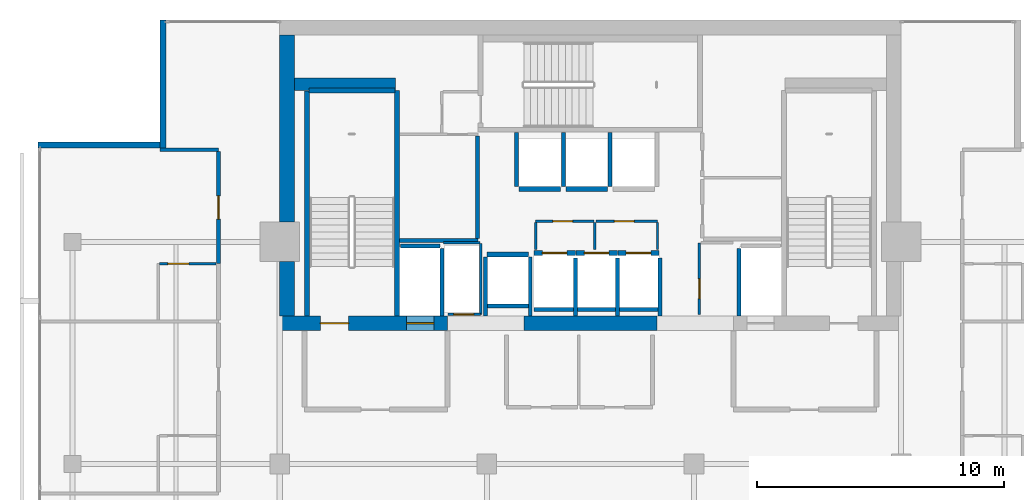
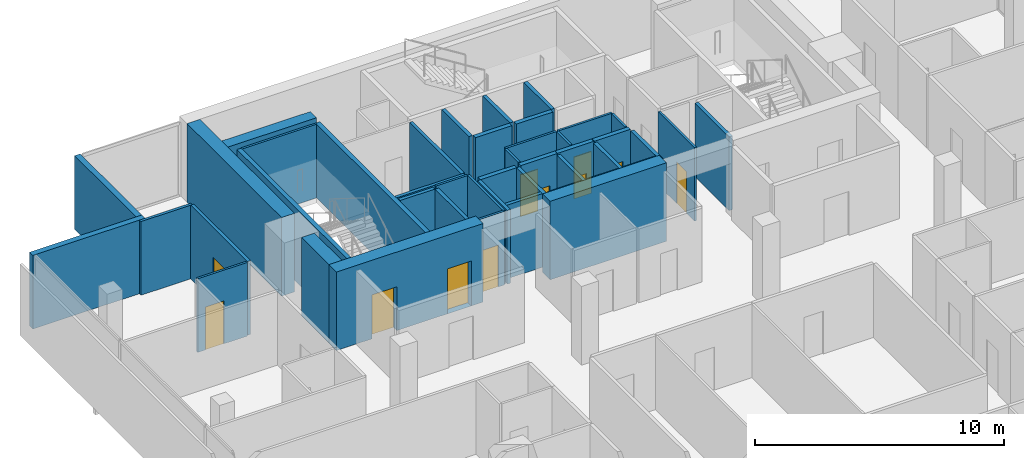
# One storey, part 22 of 26: 43 walls, 11 doors, 11 openings.
"""IFC4 building model written with IfcOpenShell, lengths in metres."""

from ifc_helpers import new_model, si_unit, direction, frame, frame_2d, origin, place, context, subcontext, project, spatial, rectangle, extrude, material, layer, layer_set, type_object, element, fill, save


model = new_model("IFC4")

# Units and contexts
model_context = context("Model", 3, precision=1e-05, world=origin(), true_north=direction((0.0, 1.0)))
body_context = subcontext(model_context, "Body", "Model", "MODEL_VIEW")
ifc_project = project(units=[si_unit("LENGTHUNIT", "METRE"), si_unit("AREAUNIT", "SQUARE_METRE"), si_unit("VOLUMEUNIT", "CUBIC_METRE"), si_unit("PLANEANGLEUNIT", "RADIAN"), si_unit("MASSUNIT", "GRAM", prefix="KILO")], contexts=[model_context])

# Site, building, storey
site_placement = place(None, origin())
site = spatial("IfcSite", under=ifc_project, at=site_placement, CompositionType="ELEMENT")
building_placement = place(site_placement, origin())
building = spatial("IfcBuilding", under=site, at=building_placement, Name="Maruvema Waterfront Hotel and Observation Tower", CompositionType="ELEMENT")
storey_placement = place(building_placement, frame((0.0, 0.0, 254.800048828125)))
storey = spatial("IfcBuildingStorey", under=building, at=storey_placement, Name="L62", CompositionType="ELEMENT", Elevation=254.800048828125)

# Walls
ifc_material_1 = material(Name="Twin-stud acoustic gypsum drywall", Category="gypsum")
ifc_layer_1 = layer(ifc_material_1, 0.14990234375, Name="Acoustic Corridor and Suite Demising Wall 150 mm")
ifc_layer_set_1 = layer_set([ifc_layer_1], Name="Twin-stud acoustic gypsum drywall")
wall_type_1 = type_object("IfcWallType", Name="Acoustic Corridor and Suite Demising Wall 150 mm", PredefinedType="PARTITIONING", material=ifc_layer_set_1)
wall_1_placement = place(storey_placement, frame((30.06005859375, 45.06005859375, 0.0), z_axis=(0.0, 0.0, 1.0), x_axis=(1.0, 0.0, 0.0)))
element("IfcWall", 1, at=wall_1_placement, inside=storey, type_object=wall_type_1, Name="L62 Freed B1 South Wall 017", PredefinedType="PARTITIONING", context=body_context, shape_type="SweptSolid", body=[
    extrude(rectangle(XDim=3.179931640625, YDim=0.14990234375, at=frame_2d((1.58984375, 0.0))), origin(), (0.0, 0.0, 1.0), 3.60986328125),
])
wall_2_placement = place(storey_placement, frame((33.219970703125, 45.139892578125, 0.0), z_axis=(0.0, 0.0, 1.0), x_axis=(0.0, 1.0, 0.0)))
element("IfcWall", 2, at=wall_2_placement, inside=storey, type_object=wall_type_1, Name="L62 Freed B1 East Wall 018", PredefinedType="PARTITIONING", context=body_context, shape_type="SweptSolid", body=[
    extrude(rectangle(XDim=4.16015625, YDim=0.14990234375, at=frame_2d((2.080078125, 0.0))), origin(), (0.0, 0.0, 1.0), 3.60986328125),
])

# Wall, opening, door
wall_3_placement = place(storey_placement, frame((22.719970703125, 44.11865234375, 0.0), z_axis=(0.0, 0.0, 1.0), x_axis=(0.0, 1.0, 0.0)))
wall_3 = element("IfcWall", 3, at=wall_3_placement, inside=storey, type_object=wall_type_1, Name="L62 Room L62-NW2 Corridor Wall 105", PredefinedType="PARTITIONING", context=body_context, shape_type="SweptSolid", body=[
    extrude(rectangle(XDim=4.558837890625, YDim=0.14990234375, at=frame_2d((2.279296875, 0.0))), origin(), (0.0, 0.0, 1.0), 3.60986328125),
])
opening_1_placement = place(wall_3_placement, frame((1.804443359375, 0.0, 0.0)))
opening_1 = element("IfcOpeningElement", 4, at=opening_1_placement, cuts=wall_3, Name="Opening DR-095", PredefinedType="OPENING", context=body_context, shape_type="SweptSolid", body=[
    extrude(rectangle(XDim=0.949951171875, YDim=2.14990234375, at=frame_2d((0.47509765625, 1.074951171875))), frame((0.0, 0.0849609375, 0.0), z_axis=(0.0, -1.0, 0.0), x_axis=(1.0, 0.0, 0.0)), (0.0, 0.0, 1.0), 0.169921875),
])
ifc_material_2 = material(Name="Acoustic solid-core hardwood timber leaf", Category="wood")
door_type_1 = type_object("IfcDoorType", Name="Guestroom Entrance Fire Door 950x2150 mm", OperationType="NOTDEFINED", PredefinedType="DOOR", material=ifc_material_2)
door_1_placement = place(opening_1_placement, origin())
door_1 = element("IfcDoor", 5, at=door_1_placement, inside=storey, type_object=door_type_1, Name="L62 Room L62-NW2 Entrance Door", OperationType="SINGLE_SWING_RIGHT", OverallHeight=2.14990234375, OverallWidth=0.949951171875, PredefinedType="DOOR", context=body_context, shape_type="SweptSolid", body=[
    extrude(rectangle(XDim=0.949951171875, YDim=2.14990234375, at=frame_2d((0.47509765625, 1.074951171875))), frame((0.0, 0.02490234375, 0.0), z_axis=(0.0, -1.0, 0.0), x_axis=(1.0, 0.0, 0.0)), (0.0, 0.0, 1.0), 0.050048828125),
])
fill(opening_1, door_1)

# Walls
ifc_material_3 = material(Name="Precast concrete C45/55", Category="concrete")
ifc_layer_2 = layer(ifc_material_3, 0.199951171875, Name="Core Shaft and Stairwell Enclosure Wall 200 mm")
ifc_layer_set_2 = layer_set([ifc_layer_2], Name="Precast concrete C45/55")
wall_type_2 = type_object("IfcWallType", Name="Core Shaft and Stairwell Enclosure Wall 200 mm", PredefinedType="SOLIDWALL", material=ifc_layer_set_2)
wall_4_placement = place(storey_placement, frame((29.949951171875, 42.0, 0.0), z_axis=(0.0, 0.0, 1.0), x_axis=(0.0, 1.0, 0.0)))
element("IfcWall", 6, at=wall_4_placement, inside=storey, type_object=wall_type_2, Name="L62 Stairwell ST-01 East Shaft Wall", PredefinedType="SOLIDWALL", context=body_context, shape_type="SweptSolid", body=[
    extrude(rectangle(XDim=9.14990234375, YDim=0.199951171875, at=frame_2d((4.574951171875, 0.0))), origin(), (0.0, 0.0, 1.0), 3.60986328125),
])
wall_5_placement = place(storey_placement, frame((26.300048828125, 42.0, 0.0), z_axis=(0.0, 0.0, 1.0), x_axis=(0.0, 1.0, 0.0)))
element("IfcWall", 7, at=wall_5_placement, inside=storey, type_object=wall_type_2, Name="L62 Stairwell ST-01 Shaft Lining Wall", PredefinedType="SOLIDWALL", context=body_context, shape_type="SweptSolid", body=[
    extrude(rectangle(XDim=9.1201171875, YDim=0.199951171875, at=frame_2d((4.56005859375, 0.0))), origin(), (0.0, 0.0, 1.0), 3.60986328125),
])
wall_6_placement = place(storey_placement, frame((26.3798828125, 51.14990234375, 0.0), z_axis=(0.0, 0.0, 1.0), x_axis=(1.0, 0.0, 0.0)))
element("IfcWall", 8, at=wall_6_placement, inside=storey, type_object=wall_type_2, Name="L62 Stairwell ST-01 Shaft Lining Wall", PredefinedType="SOLIDWALL", context=body_context, shape_type="SweptSolid", body=[
    extrude(rectangle(XDim=3.5, YDim=0.199951171875, at=frame_2d((1.75, 0.0))), origin(), (0.0, 0.0, 1.0), 3.60986328125),
])

# Wall, opening, door
wall_7_placement = place(storey_placement, frame((35.510009765625, 44.550048828125, 0.0), z_axis=(0.0, 0.0, 1.0), x_axis=(1.0, 0.0, 0.0)))
wall_7 = element("IfcWall", 9, at=wall_7_placement, inside=storey, type_object=wall_type_2, Name="L62 Lift LF-09 Hoistway Front Wall", PredefinedType="SOLIDWALL", context=body_context, shape_type="SweptSolid", body=[
    extrude(rectangle(XDim=1.679931640625, YDim=0.199951171875, at=frame_2d((0.83984375, 0.0))), origin(), (0.0, 0.0, 1.0), 3.60986328125),
])
opening_2_placement = place(wall_7_placement, frame((0.340087890625, 0.0, 0.0)))
opening_2 = element("IfcOpeningElement", 10, at=opening_2_placement, cuts=wall_7, Name="Opening LD-01", PredefinedType="OPENING", context=body_context, shape_type="SweptSolid", body=[
    extrude(rectangle(XDim=1.0, YDim=2.14990234375, at=frame_2d((0.5, 1.074951171875))), frame((0.0, 0.10986328125, 0.0), z_axis=(0.0, -1.0, 0.0), x_axis=(1.0, 0.0, 0.0)), (0.0, 0.0, 1.0), 0.219970703125),
])
ifc_material_4 = material(Name="Brushed stainless steel Grade 316", Category="steel")
door_type_2 = type_object("IfcDoorType", Name="Passenger Lift Sliding Landing Door 1000x2150 mm", OperationType="SLIDING_TO_LEFT", PredefinedType="DOOR", material=ifc_material_4)
door_2_placement = place(opening_2_placement, origin())
door_2 = element("IfcDoor", 11, at=door_2_placement, inside=storey, type_object=door_type_2, Name="L62 Lift LF-09 Sliding Landing Door", OperationType="SLIDING_TO_LEFT", OverallHeight=2.14990234375, OverallWidth=1.0, PredefinedType="DOOR", context=body_context, shape_type="SweptSolid", body=[
    extrude(rectangle(XDim=1.0, YDim=2.14990234375, at=frame_2d((0.5, 1.074951171875))), frame((0.0, 0.02490234375, 0.0), z_axis=(0.0, -1.0, 0.0), x_axis=(1.0, 0.0, 0.0)), (0.0, 0.0, 1.0), 0.050048828125),
])
fill(opening_2, door_2)

wall_8_placement = place(storey_placement, frame((37.2099609375, 44.550048828125, 0.0), z_axis=(0.0, 0.0, 1.0), x_axis=(1.0, 0.0, 0.0)))
wall_8 = element("IfcWall", 12, at=wall_8_placement, inside=storey, type_object=wall_type_2, Name="L62 Lift LF-10 Hoistway Front Wall", PredefinedType="SOLIDWALL", context=body_context, shape_type="SweptSolid", body=[
    extrude(rectangle(XDim=1.679931640625, YDim=0.199951171875, at=frame_2d((0.83984375, 0.0))), origin(), (0.0, 0.0, 1.0), 3.60986328125),
])
opening_3_placement = place(wall_8_placement, frame((0.340087890625, 0.0, 0.0)))
opening_3 = element("IfcOpeningElement", 13, at=opening_3_placement, cuts=wall_8, Name="Opening LD-01", PredefinedType="OPENING", context=body_context, shape_type="SweptSolid", body=[
    extrude(rectangle(XDim=1.0, YDim=2.14990234375, at=frame_2d((0.5, 1.074951171875))), frame((0.0, 0.10986328125, 0.0), z_axis=(0.0, -1.0, 0.0), x_axis=(1.0, 0.0, 0.0)), (0.0, 0.0, 1.0), 0.219970703125),
])
door_3_placement = place(opening_3_placement, origin())
door_3 = element("IfcDoor", 14, at=door_3_placement, inside=storey, type_object=door_type_2, Name="L62 Lift LF-10 Sliding Landing Door", OperationType="SLIDING_TO_LEFT", OverallHeight=2.14990234375, OverallWidth=1.0, PredefinedType="DOOR", context=body_context, shape_type="SweptSolid", body=[
    extrude(rectangle(XDim=1.0, YDim=2.14990234375, at=frame_2d((0.5, 1.074951171875))), frame((0.0, 0.02490234375, 0.0), z_axis=(0.0, -1.0, 0.0), x_axis=(1.0, 0.0, 0.0)), (0.0, 0.0, 1.0), 0.050048828125),
])
fill(opening_3, door_3)

wall_9_placement = place(storey_placement, frame((38.909912109375, 44.550048828125, 0.0), z_axis=(0.0, 0.0, 1.0), x_axis=(1.0, 0.0, 0.0)))
wall_9 = element("IfcWall", 15, at=wall_9_placement, inside=storey, type_object=wall_type_2, Name="L62 Lift LF-11 Hoistway Front Wall", PredefinedType="SOLIDWALL", context=body_context, shape_type="SweptSolid", body=[
    extrude(rectangle(XDim=1.68017578125, YDim=0.199951171875, at=frame_2d((0.840087890625, 0.0))), origin(), (0.0, 0.0, 1.0), 3.60986328125),
])
opening_4_placement = place(wall_9_placement, frame((0.340087890625, 0.0, 0.0)))
opening_4 = element("IfcOpeningElement", 16, at=opening_4_placement, cuts=wall_9, Name="Opening LD-01", PredefinedType="OPENING", context=body_context, shape_type="SweptSolid", body=[
    extrude(rectangle(XDim=1.0, YDim=2.14990234375, at=frame_2d((0.5, 1.074951171875))), frame((0.0, 0.10986328125, 0.0), z_axis=(0.0, -1.0, 0.0), x_axis=(1.0, 0.0, 0.0)), (0.0, 0.0, 1.0), 0.219970703125),
])
door_4_placement = place(opening_4_placement, origin())
door_4 = element("IfcDoor", 17, at=door_4_placement, inside=storey, type_object=door_type_2, Name="L62 Lift LF-11 Sliding Landing Door", OperationType="SLIDING_TO_LEFT", OverallHeight=2.14990234375, OverallWidth=1.0, PredefinedType="DOOR", context=body_context, shape_type="SweptSolid", body=[
    extrude(rectangle(XDim=1.0, YDim=2.14990234375, at=frame_2d((0.5, 1.074951171875))), frame((0.0, 0.02490234375, 0.0), z_axis=(0.0, -1.0, 0.0), x_axis=(1.0, 0.0, 0.0)), (0.0, 0.0, 1.0), 0.050048828125),
])
fill(opening_4, door_4)

# Walls
wall_10_placement = place(storey_placement, frame((34.909912109375, 47.14990234375, 0.0), z_axis=(0.0, 0.0, 1.0), x_axis=(1.0, 0.0, 0.0)))
element("IfcWall", 18, at=wall_10_placement, inside=storey, type_object=wall_type_2, Name="L62 Lift LF-12 Hoistway Front Wall", PredefinedType="SOLIDWALL", context=body_context, shape_type="SweptSolid", body=[
    extrude(rectangle(XDim=1.68017578125, YDim=0.199951171875, at=frame_2d((0.840087890625, 0.0))), origin(), (0.0, 0.0, 1.0), 3.60986328125),
])
for number, where, z_axis, x_axis, name in (
    (19, (36.81005859375, 47.14990234375, 0.0), (0.0, 0.0, 1.0), (1.0, 0.0, 0.0), "L62 Lift LF-13 Hoistway Front Wall"),
    (20, (33.610107421875, 44.5, 0.0), (0.0, 0.0, 1.0), (1.0, 0.0, 0.0), "L62 Lift LF-15 Hoistway Front Wall"),
):
    element("IfcWall", number, at=place(storey_placement, frame(where, z_axis=z_axis, x_axis=x_axis)), inside=storey, type_object=wall_type_2, Name=name, PredefinedType="SOLIDWALL", context=body_context, shape_type="SweptSolid", body=[
        extrude(rectangle(XDim=1.679931640625, YDim=0.199951171875, at=frame_2d((0.83984375, 0.0))), origin(), (0.0, 0.0, 1.0), 3.60986328125),
    ])
ifc_material_5 = material(Name="Concrete C70/85", Category="concrete")
ifc_layer_3 = layer(ifc_material_5, 0.5, Name="Core Shear Wall 500 mm")
ifc_layer_set_3 = layer_set([ifc_layer_3], Name="Concrete C70/85")
wall_type_3 = type_object("IfcWallType", Name="Core Shear Wall 500 mm", PredefinedType="SHEAR", material=ifc_layer_set_3)
wall_11_placement = place(storey_placement, frame((25.800048828125, 51.39990234375, 0.0), z_axis=(0.0, 0.0, 1.0), x_axis=(1.0, 0.0, 0.0)))
element("IfcWall", 21, at=wall_11_placement, inside=storey, type_object=wall_type_3, Name="L62 Internal Core Shear Wall NW 500 mm", PredefinedType="SHEAR", context=body_context, shape_type="SweptSolid", body=[
    extrude(rectangle(XDim=4.099853515625, YDim=0.5, at=frame_2d((2.0498046875, 0.0))), origin(), (0.0, 0.0, 1.0), 3.849853515625),
])

# Wall, openings, doors
ifc_material_6 = material(Name="Concrete C60/75", Category="concrete")
ifc_layer_4 = layer(ifc_material_6, 0.60009765625, Name="Core Shear Wall 600 mm")
ifc_layer_set_4 = layer_set([ifc_layer_4], Name="Concrete C60/75")
wall_type_4 = type_object("IfcWallType", Name="Core Shear Wall 600 mm", PredefinedType="SHEAR", material=ifc_layer_set_4)
wall_12_placement = place(storey_placement, frame((25.199951171875, 41.699951171875, 0.0), z_axis=(0.0, 0.0, 1.0), x_axis=(1.0, 0.0, 0.0)))
wall_12 = element("IfcWall", 22, at=wall_12_placement, inside=storey, type_object=wall_type_4, Name="L62 South-West Core Shear Wall", PredefinedType="SHEAR", context=body_context, shape_type="SweptSolid", body=[
    extrude(rectangle(XDim=6.800048828125, YDim=0.60009765625, at=frame_2d((3.39990234375, 0.0))), origin(), (0.0, 0.0, 1.0), 3.849853515625),
])
opening_5_placement = place(wall_12_placement, frame((1.64990234375, 0.0, 0.0)))
opening_5 = element("IfcOpeningElement", 23, at=opening_5_placement, cuts=wall_12, Name="Opening SD-01", PredefinedType="OPENING", context=body_context, shape_type="SweptSolid", body=[
    extrude(rectangle(XDim=1.14990234375, YDim=2.14990234375, at=frame_2d((0.574951171875, 1.074951171875))), frame((0.0, 0.31005859375, 0.0), z_axis=(0.0, -1.0, 0.0), x_axis=(1.0, 0.0, 0.0)), (0.0, 0.0, 1.0), 0.6201171875),
])
opening_6_placement = place(wall_12_placement, frame((5.14990234375, 0.0, 0.0)))
opening_6 = element("IfcOpeningElement", 24, at=opening_6_placement, cuts=wall_12, Name="Opening LD-03", PredefinedType="OPENING", context=body_context, shape_type="SweptSolid", body=[
    extrude(rectangle(XDim=1.10009765625, YDim=2.199951171875, at=frame_2d((0.550048828125, 1.10009765625))), frame((0.0, 0.31005859375, 0.0), z_axis=(0.0, -1.0, 0.0), x_axis=(1.0, 0.0, 0.0)), (0.0, 0.0, 1.0), 0.6201171875),
])
ifc_material_7 = material(Name="Fire-rated galvanised steel leaf", Category="steel")
door_type_3 = type_object("IfcDoorType", Name="Exit Stair Fire Door 1150x2150 mm", OperationType="NOTDEFINED", PredefinedType="DOOR", material=ifc_material_7)
door_5_placement = place(opening_5_placement, origin())
door_5 = element("IfcDoor", 25, at=door_5_placement, inside=storey, type_object=door_type_3, Name="L62 Exit Stair ST-01 Fire Door", OperationType="SINGLE_SWING_LEFT", OverallHeight=2.14990234375, OverallWidth=1.14990234375, PredefinedType="DOOR", context=body_context, shape_type="SweptSolid", body=[
    extrude(rectangle(XDim=1.14990234375, YDim=2.14990234375, at=frame_2d((0.574951171875, 1.074951171875))), frame((0.0, 0.02490234375, 0.0), z_axis=(0.0, -1.0, 0.0), x_axis=(1.0, 0.0, 0.0)), (0.0, 0.0, 1.0), 0.050048828125),
])
fill(opening_5, door_5)
ifc_material_8 = material(Name="Brushed stainless steel Grade 316", Category="steel")
door_type_4 = type_object("IfcDoorType", Name="Firefighting Lift Sliding Landing Door 1100x2200 mm", OperationType="SLIDING_TO_LEFT", PredefinedType="DOOR", material=ifc_material_8)
door_6_placement = place(opening_6_placement, frame((1.10009765625, 0.0, 0.0), z_axis=(0.0, 0.0, 1.0), x_axis=(-1.0, 0.0, 0.0)))
door_6 = element("IfcDoor", 26, at=door_6_placement, inside=storey, type_object=door_type_4, Name="L62 Firefighting Lift FL-01 Landing Door", OperationType="SLIDING_TO_LEFT", OverallHeight=2.199951171875, OverallWidth=1.10009765625, PredefinedType="DOOR", context=body_context, shape_type="SweptSolid", body=[
    extrude(rectangle(XDim=1.10009765625, YDim=2.199951171875, at=frame_2d((0.550048828125, 1.10009765625))), frame((0.0, 0.02490234375, 0.0), z_axis=(0.0, -1.0, 0.0), x_axis=(1.0, 0.0, 0.0)), (0.0, 0.0, 1.0), 0.050048828125),
])
fill(opening_6, door_6)

# Walls
wall_13_placement = place(storey_placement, frame((35.10009765625, 41.699951171875, 0.0), z_axis=(0.0, 0.0, 1.0), x_axis=(1.0, 0.0, 0.0)))
element("IfcWall", 27, at=wall_13_placement, inside=storey, type_object=wall_type_4, Name="L62 South-Central Core Shear Wall", PredefinedType="SHEAR", context=body_context, shape_type="SweptSolid", body=[
    extrude(rectangle(XDim=5.39990234375, YDim=0.60009765625, at=frame_2d((2.699951171875, 0.0))), origin(), (0.0, 0.0, 1.0), 3.849853515625),
])
wall_14_placement = place(storey_placement, frame((25.5, 42.0, 0.0), z_axis=(0.0, 0.0, 1.0), x_axis=(0.0, 1.0, 0.0)))
element("IfcWall", 28, at=wall_14_placement, inside=storey, type_object=wall_type_4, Name="L62 West-South Core Shear Wall", PredefinedType="SHEAR", context=body_context, shape_type="SweptSolid", body=[
    extrude(rectangle(XDim=2.199951171875, YDim=0.60009765625, at=frame_2d((1.10009765625, 0.0))), origin(), (0.0, 0.0, 1.0), 3.849853515625),
])
wall_15_placement = place(storey_placement, frame((25.5, 45.800048828125, 0.0), z_axis=(0.0, 0.0, 1.0), x_axis=(0.0, 1.0, 0.0)))
element("IfcWall", 29, at=wall_15_placement, inside=storey, type_object=wall_type_4, Name="L62 West-North Core Shear Wall", PredefinedType="SHEAR", context=body_context, shape_type="SweptSolid", body=[
    extrude(rectangle(XDim=7.599853515625, YDim=0.60009765625, at=frame_2d((3.7998046875, 0.0))), origin(), (0.0, 0.0, 1.0), 3.849853515625),
])

# Wall, opening, door
ifc_material_9 = material(Name="Moisture-resistant cement-board drywall", Category="gypsum")
ifc_layer_5 = layer(ifc_material_9, 0.10009765625, Name="En-Suite Moisture-Resistant Partition 100 mm")
ifc_layer_set_5 = layer_set([ifc_layer_5], Name="Moisture-resistant cement-board drywall")
wall_type_5 = type_object("IfcWallType", Name="En-Suite Moisture-Resistant Partition 100 mm", PredefinedType="PARTITIONING", material=ifc_layer_set_5)
wall_16_placement = place(storey_placement, frame((32.02001953125, 42.06005859375, 0.0), z_axis=(0.0, 0.0, 1.0), x_axis=(1.0, 0.0, 0.0)))
wall_16 = element("IfcWall", 30, at=wall_16_placement, inside=storey, type_object=wall_type_5, Name="L62 Telecom Riser South Wall 007", PredefinedType="PARTITIONING", context=body_context, shape_type="SweptSolid", body=[
    extrude(rectangle(XDim=1.320068359375, YDim=0.10009765625, at=frame_2d((0.66015625, 0.0))), origin(), (0.0, 0.0, 1.0), 3.60986328125),
])
opening_7_placement = place(wall_16_placement, frame((0.239990234375, 0.0, 0.0)))
opening_7 = element("IfcOpeningElement", 31, at=opening_7_placement, cuts=wall_16, Name="Opening DR-080", PredefinedType="OPENING", context=body_context, shape_type="SweptSolid", body=[
    extrude(rectangle(XDim=0.800048828125, YDim=2.050048828125, at=frame_2d((0.39990234375, 1.02490234375))), frame((0.0, 0.06005859375, 0.0), z_axis=(0.0, -1.0, 0.0), x_axis=(1.0, 0.0, 0.0)), (0.0, 0.0, 1.0), 0.1201171875),
])
ifc_material_10 = material(Name="Powder-coated steel access leaf", Category="steel")
door_type_5 = type_object("IfcDoorType", Name="Riser and Service Cupboard Door 800x2050 mm", OperationType="NOTDEFINED", PredefinedType="DOOR", material=ifc_material_10)
door_7_placement = place(opening_7_placement, frame((0.800048828125, 0.0, 0.0), z_axis=(0.0, 0.0, 1.0), x_axis=(-1.0, 0.0, 0.0)))
door_7 = element("IfcDoor", 32, at=door_7_placement, inside=storey, type_object=door_type_5, Name="L62 Telecom Riser Door", OperationType="SINGLE_SWING_RIGHT", OverallHeight=2.050048828125, OverallWidth=0.800048828125, PredefinedType="DOOR", context=body_context, shape_type="SweptSolid", body=[
    extrude(rectangle(XDim=0.800048828125, YDim=2.050048828125, at=frame_2d((0.39990234375, 1.02490234375))), frame((0.0, 0.02490234375, 0.0), z_axis=(0.0, -1.0, 0.0), x_axis=(1.0, 0.0, 0.0)), (0.0, 0.0, 1.0), 0.050048828125),
])
fill(opening_7, door_7)

# Walls
wall_17_placement = place(storey_placement, frame((31.840087890625, 44.9599609375, 0.0), z_axis=(0.0, 0.0, 1.0), x_axis=(1.0, 0.0, 0.0)))
element("IfcWall", 33, at=wall_17_placement, inside=storey, type_object=wall_type_5, Name="L62 Telecom Riser North Wall 008", PredefinedType="PARTITIONING", context=body_context, shape_type="SweptSolid", body=[
    extrude(rectangle(XDim=1.47998046875, YDim=0.10009765625, at=frame_2d((0.739990234375, 0.0))), origin(), (0.0, 0.0, 1.0), 3.60986328125),
])
wall_18_placement = place(storey_placement, frame((33.360107421875, 42.06005859375, 0.0), z_axis=(0.0, 0.0, 1.0), x_axis=(0.0, 1.0, 0.0)))
element("IfcWall", 34, at=wall_18_placement, inside=storey, type_object=wall_type_5, Name="L62 Telecom Riser East Wall 009", PredefinedType="PARTITIONING", context=body_context, shape_type="SweptSolid", body=[
    extrude(rectangle(XDim=2.8798828125, YDim=0.10009765625, at=frame_2d((1.43994140625, 0.0))), origin(), (0.0, 0.0, 1.0), 3.60986328125),
])

# Wall, opening, door
wall_19_placement = place(storey_placement, frame((35.580078125, 45.840087890625, 0.0), z_axis=(0.0, 0.0, 1.0), x_axis=(1.0, 0.0, 0.0)))
wall_19 = element("IfcWall", 35, at=wall_19_placement, inside=storey, type_object=wall_type_5, Name="L62 Core Closet K2A North 010", PredefinedType="PARTITIONING", context=body_context, shape_type="SweptSolid", body=[
    extrude(rectangle(XDim=2.35986328125, YDim=0.10009765625, at=frame_2d((1.179931640625, 0.0))), origin(), (0.0, 0.0, 1.0), 3.60986328125),
])
opening_8_placement = place(wall_19_placement, frame((0.699951171875, 0.0, 0.0)))
opening_8 = element("IfcOpeningElement", 36, at=opening_8_placement, cuts=wall_19, Name="Opening DR-080", PredefinedType="OPENING", context=body_context, shape_type="SweptSolid", body=[
    extrude(rectangle(XDim=0.800048828125, YDim=2.050048828125, at=frame_2d((0.39990234375, 1.02490234375))), frame((0.0, 0.06005859375, 0.0), z_axis=(0.0, -1.0, 0.0), x_axis=(1.0, 0.0, 0.0)), (0.0, 0.0, 1.0), 0.1201171875),
])
door_8_placement = place(opening_8_placement, origin())
door_8 = element("IfcDoor", 37, at=door_8_placement, inside=storey, type_object=door_type_5, Name="L62 Core IT Closet Door", OperationType="SINGLE_SWING_LEFT", OverallHeight=2.050048828125, OverallWidth=0.800048828125, PredefinedType="DOOR", context=body_context, shape_type="SweptSolid", body=[
    extrude(rectangle(XDim=0.800048828125, YDim=2.050048828125, at=frame_2d((0.39990234375, 1.02490234375))), frame((0.0, 0.02490234375, 0.0), z_axis=(0.0, -1.0, 0.0), x_axis=(1.0, 0.0, 0.0)), (0.0, 0.0, 1.0), 0.050048828125),
])
fill(opening_8, door_8)

wall_20_placement = place(storey_placement, frame((38.02001953125, 45.840087890625, 0.0), z_axis=(0.0, 0.0, 1.0), x_axis=(1.0, 0.0, 0.0)))
wall_20 = element("IfcWall", 38, at=wall_20_placement, inside=storey, type_object=wall_type_5, Name="L62 Core Closet K2B North 011", PredefinedType="PARTITIONING", context=body_context, shape_type="SweptSolid", body=[
    extrude(rectangle(XDim=2.5, YDim=0.10009765625, at=frame_2d((1.25, 0.0))), origin(), (0.0, 0.0, 1.0), 3.60986328125),
])
opening_9_placement = place(wall_20_placement, frame((0.75, 0.0, 0.0)))
opening_9 = element("IfcOpeningElement", 39, at=opening_9_placement, cuts=wall_20, Name="Opening DR-080", PredefinedType="OPENING", context=body_context, shape_type="SweptSolid", body=[
    extrude(rectangle(XDim=0.800048828125, YDim=2.050048828125, at=frame_2d((0.39990234375, 1.02490234375))), frame((0.0, 0.06005859375, 0.0), z_axis=(0.0, -1.0, 0.0), x_axis=(1.0, 0.0, 0.0)), (0.0, 0.0, 1.0), 0.1201171875),
])
door_9_placement = place(opening_9_placement, origin())
door_9 = element("IfcDoor", 40, at=door_9_placement, inside=storey, type_object=door_type_5, Name="L62 Core Linen Cupboard Door", OperationType="SINGLE_SWING_RIGHT", OverallHeight=2.050048828125, OverallWidth=0.800048828125, PredefinedType="DOOR", context=body_context, shape_type="SweptSolid", body=[
    extrude(rectangle(XDim=0.800048828125, YDim=2.050048828125, at=frame_2d((0.39990234375, 1.02490234375))), frame((0.0, 0.02490234375, 0.0), z_axis=(0.0, -1.0, 0.0), x_axis=(1.0, 0.0, 0.0)), (0.0, 0.0, 1.0), 0.050048828125),
])
fill(opening_9, door_9)

# Walls
for number, where, z_axis, x_axis, name in (
    (41, (35.580078125, 44.699951171875, 0.0), (0.0, 0.0, 1.0), (0.0, 1.0, 0.0), "L62 Core Closet K2 West 012"),
    (42, (37.97998046875, 44.699951171875, 0.0), (0.0, 0.0, 1.0), (0.0, 1.0, 0.0), "L62 Core Closet K2 Mid 013"),
    (43, (40.52001953125, 44.699951171875, 0.0), (0.0, 0.0, 1.0), (0.0, 1.0, 0.0), "L62 Core Closet K2 East 014"),
):
    element("IfcWall", number, at=place(storey_placement, frame(where, z_axis=z_axis, x_axis=x_axis)), inside=storey, type_object=wall_type_5, Name=name, PredefinedType="PARTITIONING", context=body_context, shape_type="SweptSolid", body=[
        extrude(rectangle(XDim=1.080078125, YDim=0.10009765625, at=frame_2d((0.5400390625, 0.0))), origin(), (0.0, 0.0, 1.0), 3.60986328125),
    ])

# Wall, opening, door
wall_21_placement = place(storey_placement, frame((42.219970703125, 42.050048828125, 0.0), z_axis=(0.0, 0.0, 1.0), x_axis=(0.0, 1.0, 0.0)))
wall_21 = element("IfcWall", 44, at=wall_21_placement, inside=storey, type_object=wall_type_5, Name="L62 Core Closet K2C West 015", PredefinedType="PARTITIONING", context=body_context, shape_type="SweptSolid", body=[
    extrude(rectangle(XDim=2.909912109375, YDim=0.10009765625, at=frame_2d((1.455078125, 0.0))), origin(), (0.0, 0.0, 1.0), 3.60986328125),
])
opening_10_placement = place(wall_21_placement, frame((0.64990234375, 0.0, 0.0)))
opening_10 = element("IfcOpeningElement", 45, at=opening_10_placement, cuts=wall_21, Name="Opening DR-080", PredefinedType="OPENING", context=body_context, shape_type="SweptSolid", body=[
    extrude(rectangle(XDim=0.800048828125, YDim=2.050048828125, at=frame_2d((0.39990234375, 1.02490234375))), frame((0.0, 0.06005859375, 0.0), z_axis=(0.0, -1.0, 0.0), x_axis=(1.0, 0.0, 0.0)), (0.0, 0.0, 1.0), 0.1201171875),
])
door_10_placement = place(opening_10_placement, frame((0.800048828125, 0.0, 0.0), z_axis=(0.0, 0.0, 1.0), x_axis=(-1.0, 0.0, 0.0)))
door_10 = element("IfcDoor", 46, at=door_10_placement, inside=storey, type_object=door_type_5, Name="L62 Core Housekeeping Closet Door", OperationType="SINGLE_SWING_LEFT", OverallHeight=2.050048828125, OverallWidth=0.800048828125, PredefinedType="DOOR", context=body_context, shape_type="SweptSolid", body=[
    extrude(rectangle(XDim=0.800048828125, YDim=2.050048828125, at=frame_2d((0.39990234375, 1.02490234375))), frame((0.0, 0.02490234375, 0.0), z_axis=(0.0, -1.0, 0.0), x_axis=(1.0, 0.0, 0.0)), (0.0, 0.0, 1.0), 0.050048828125),
])
fill(opening_10, door_10)

wall_22_placement = place(storey_placement, frame((20.320068359375, 44.11865234375, 0.0), z_axis=(0.0, 0.0, 1.0), x_axis=(1.0, 0.0, 0.0)))
wall_22 = element("IfcWall", 47, at=wall_22_placement, inside=storey, type_object=wall_type_5, Name="L62 En-Suite L62-NW2 N 107", PredefinedType="PARTITIONING", context=body_context, shape_type="SweptSolid", body=[
    extrude(rectangle(XDim=2.300048828125, YDim=0.10009765625, at=frame_2d((1.14990234375, 0.0))), origin(), (0.0, 0.0, 1.0), 3.60986328125),
])
opening_11_placement = place(wall_22_placement, frame((0.35009765625, 0.0, 0.0)))
opening_11 = element("IfcOpeningElement", 48, at=opening_11_placement, cuts=wall_22, Name="Opening DR-085", PredefinedType="OPENING", context=body_context, shape_type="SweptSolid", body=[
    extrude(rectangle(XDim=0.85009765625, YDim=2.10009765625, at=frame_2d((0.425048828125, 1.050048828125))), frame((0.0, 0.06005859375, 0.0), z_axis=(0.0, -1.0, 0.0), x_axis=(1.0, 0.0, 0.0)), (0.0, 0.0, 1.0), 0.1201171875),
])
ifc_material_11 = material(Name="Moisture-resistant solid timber leaf", Category="wood")
door_type_6 = type_object("IfcDoorType", Name="En-Suite Bathroom Door 850x2100 mm", OperationType="NOTDEFINED", PredefinedType="DOOR", material=ifc_material_11)
door_11_placement = place(opening_11_placement, origin())
door_11 = element("IfcDoor", 49, at=door_11_placement, inside=storey, type_object=door_type_6, Name="L62 En-Suite L62-NW2 Door", OperationType="SINGLE_SWING_LEFT", OverallHeight=2.10009765625, OverallWidth=0.85009765625, PredefinedType="DOOR", context=body_context, shape_type="SweptSolid", body=[
    extrude(rectangle(XDim=0.85009765625, YDim=2.10009765625, at=frame_2d((0.425048828125, 1.050048828125))), frame((0.0, 0.02490234375, 0.0), z_axis=(0.0, -1.0, 0.0), x_axis=(1.0, 0.0, 0.0)), (0.0, 0.0, 1.0), 0.050048828125),
])
fill(opening_11, door_11)

# Walls
ifc_material_12 = material(Name="Precast concrete C45/55 with honed Pernambuco granite facing", Category="masonry")
ifc_layer_6 = layer(ifc_material_12, 0.260009765625, Name="Exterior Granite Clad Spandrel and Pier Wall 260 mm")
ifc_layer_set_6 = layer_set([ifc_layer_6], Name="Precast concrete C45/55 with honed Pernambuco granite facing")
wall_type_6 = type_object("IfcWallType", Name="Exterior Granite Clad Spandrel and Pier Wall 260 mm", PredefinedType="SOLIDWALL", material=ifc_layer_set_6)
wall_23_placement = place(storey_placement, frame((20.469970703125, 48.800048828125, 0.0), z_axis=(0.0, 0.0, 1.0), x_axis=(0.0, 1.0, 0.0)))
element("IfcWall", 50, at=wall_23_placement, inside=storey, type_object=wall_type_6, Name="L62 Corner Notch Granite Pier Wall NW1", PredefinedType="SOLIDWALL", context=body_context, shape_type="SweptSolid", body=[
    extrude(rectangle(XDim=5.199951171875, YDim=0.260009765625, at=frame_2d((2.60009765625, 0.0))), origin(), (0.0, 0.0, 1.0), 3.60986328125),
])
wall_24_placement = place(storey_placement, frame((15.39990234375, 48.929931640625, 0.0), z_axis=(0.0, 0.0, 1.0), x_axis=(1.0, 0.0, 0.0)))
element("IfcWall", 51, at=wall_24_placement, inside=storey, type_object=wall_type_6, Name="L62 Corner Notch Granite Pier Wall NW2", PredefinedType="SOLIDWALL", context=body_context, shape_type="SweptSolid", body=[
    extrude(rectangle(XDim=5.2001953125, YDim=0.260009765625, at=frame_2d((2.60009765625, 0.0))), origin(), (0.0, 0.0, 1.0), 3.60986328125),
])
ifc_material_13 = material(Name="Acoustic gypsum plasterboard drywall", Category="gypsum")
ifc_layer_7 = layer(ifc_material_13, 0.125, Name="Guestroom Acoustic Demising Wall 125 mm")
ifc_layer_set_7 = layer_set([ifc_layer_7], Name="Acoustic gypsum plasterboard drywall")
wall_type_7 = type_object("IfcWallType", Name="Guestroom Acoustic Demising Wall 125 mm", PredefinedType="PARTITIONING", material=ifc_layer_set_7)
wall_25_placement = place(storey_placement, frame((20.340087890625, 48.737548828125, 0.0), z_axis=(0.0, 0.0, 1.0), x_axis=(1.0, 0.0, 0.0)))
element("IfcWall", 52, at=wall_25_placement, inside=storey, type_object=wall_type_7, Name="L62 Z3 NW Top End 092", PredefinedType="PARTITIONING", context=body_context, shape_type="SweptSolid", body=[
    extrude(rectangle(XDim=2.3798828125, YDim=0.125, at=frame_2d((1.18994140625, 0.0))), origin(), (0.0, 0.0, 1.0), 3.60986328125),
])
ifc_material_14 = material(Name="Precast concrete C45/55", Category="concrete")
ifc_layer_8 = layer(ifc_material_14, 0.159912109375, Name="Lift Hoistway Divider Wall 160 mm")
ifc_layer_set_8 = layer_set([ifc_layer_8], Name="Precast concrete C45/55")
wall_type_8 = type_object("IfcWallType", Name="Lift Hoistway Divider Wall 160 mm", PredefinedType="SOLIDWALL", material=ifc_layer_set_8)
wall_26_placement = place(storey_placement, frame((30.10009765625, 44.830078125, 0.0), z_axis=(0.0, 0.0, 1.0), x_axis=(1.0, 0.0, 0.0)))
element("IfcWall", 53, at=wall_26_placement, inside=storey, type_object=wall_type_8, Name="L62 Lift FL-01 Rear Hoistway Wall", PredefinedType="SOLIDWALL", context=body_context, shape_type="SweptSolid", body=[
    extrude(rectangle(XDim=1.599853515625, YDim=0.159912109375, at=frame_2d((0.7998046875, 0.0))), origin(), (0.0, 0.0, 1.0), 3.60986328125),
])
for number, where, z_axis, x_axis, name in (
    (54, (31.780029296875, 42.0, 0.0), (0.0, 0.0, 1.0), (0.0, 1.0, 0.0), "L62 Lift FL-01 Inner Hoistway Wall"),
    (55, (43.820068359375, 42.0, 0.0), (0.0, 0.0, 1.0), (0.0, 1.0, 0.0), "L62 Lift FL-02 Inner Hoistway Wall"),
):
    element("IfcWall", number, at=place(storey_placement, frame(where, z_axis=z_axis, x_axis=x_axis)), inside=storey, type_object=wall_type_8, Name=name, PredefinedType="SOLIDWALL", context=body_context, shape_type="SweptSolid", body=[
        extrude(rectangle(XDim=2.739990234375, YDim=0.159912109375, at=frame_2d((1.3701171875, 0.0))), origin(), (0.0, 0.0, 1.0), 3.60986328125),
    ])
for number, where, z_axis, x_axis, name in (
    (56, (37.199951171875, 42.0, 0.0), (0.0, 0.0, 1.0), (0.0, 1.0, 0.0), "L62 Hoistway Divider Wall"),
    (57, (38.89990234375, 42.0, 0.0), (0.0, 0.0, 1.0), (0.0, 1.0, 0.0), "L62 Hoistway Divider Wall"),
    (58, (40.6201171875, 42.0, 0.0), (0.0, 0.0, 1.0), (0.0, 1.0, 0.0), "L62 Hoistway Divider Wall"),
):
    element("IfcWall", number, at=place(storey_placement, frame(where, z_axis=z_axis, x_axis=x_axis)), inside=storey, type_object=wall_type_8, Name=name, PredefinedType="SOLIDWALL", context=body_context, shape_type="SweptSolid", body=[
        extrude(rectangle(XDim=2.35009765625, YDim=0.159912109375, at=frame_2d((1.175048828125, 0.0))), origin(), (0.0, 0.0, 1.0), 3.60986328125),
    ])
wall_27_placement = place(storey_placement, frame((35.52001953125, 42.260009765625, 0.0), z_axis=(0.0, 0.0, 1.0), x_axis=(1.0, 0.0, 0.0)))
element("IfcWall", 59, at=wall_27_placement, inside=storey, type_object=wall_type_8, Name="L62 Hoistway Divider Wall", PredefinedType="SOLIDWALL", context=body_context, shape_type="SweptSolid", body=[
    extrude(rectangle(XDim=5.02001953125, YDim=0.159912109375, at=frame_2d((2.510009765625, 0.0))), origin(), (0.0, 0.0, 1.0), 3.60986328125),
])
for number, where, z_axis, x_axis, name in (
    (60, (34.800048828125, 47.25, 0.0), (0.0, 0.0, 1.0), (0.0, 1.0, 0.0), "L62 Hoistway Divider Wall"),
    (61, (36.699951171875, 47.25, 0.0), (0.0, 0.0, 1.0), (0.0, 1.0, 0.0), "L62 Hoistway Divider Wall"),
    (62, (38.60009765625, 47.25, 0.0), (0.0, 0.0, 1.0), (0.0, 1.0, 0.0), "L62 Hoistway Divider Wall"),
):
    element("IfcWall", number, at=place(storey_placement, frame(where, z_axis=z_axis, x_axis=x_axis)), inside=storey, type_object=wall_type_8, Name=name, PredefinedType="SOLIDWALL", context=body_context, shape_type="SweptSolid", body=[
        extrude(rectangle(XDim=2.18994140625, YDim=0.159912109375, at=frame_2d((1.094970703125, 0.0))), origin(), (0.0, 0.0, 1.0), 3.60986328125),
    ])
for number, where, z_axis, x_axis, name in (
    (63, (33.5400390625, 42.0, 0.0), (0.0, 0.0, 1.0), (0.0, 1.0, 0.0), "L62 Hoistway Divider Wall"),
    (64, (35.360107421875, 42.0, 0.0), (0.0, 0.0, 1.0), (0.0, 1.0, 0.0), "L62 Hoistway Divider Wall"),
):
    element("IfcWall", number, at=place(storey_placement, frame(where, z_axis=z_axis, x_axis=x_axis)), inside=storey, type_object=wall_type_8, Name=name, PredefinedType="SOLIDWALL", context=body_context, shape_type="SweptSolid", body=[
        extrude(rectangle(XDim=2.39990234375, YDim=0.159912109375, at=frame_2d((1.199951171875, 0.0))), origin(), (0.0, 0.0, 1.0), 3.60986328125),
    ])
wall_28_placement = place(storey_placement, frame((33.6201171875, 42.39990234375, 0.0), z_axis=(0.0, 0.0, 1.0), x_axis=(1.0, 0.0, 0.0)))
element("IfcWall", 65, at=wall_28_placement, inside=storey, type_object=wall_type_8, Name="L62 Hoistway Divider Wall", PredefinedType="SOLIDWALL", context=body_context, shape_type="SweptSolid", body=[
    extrude(rectangle(XDim=1.659912109375, YDim=0.159912109375, at=frame_2d((0.830078125, 0.0))), origin(), (0.0, 0.0, 1.0), 3.60986328125),
])

save(model, "model.ifc")
